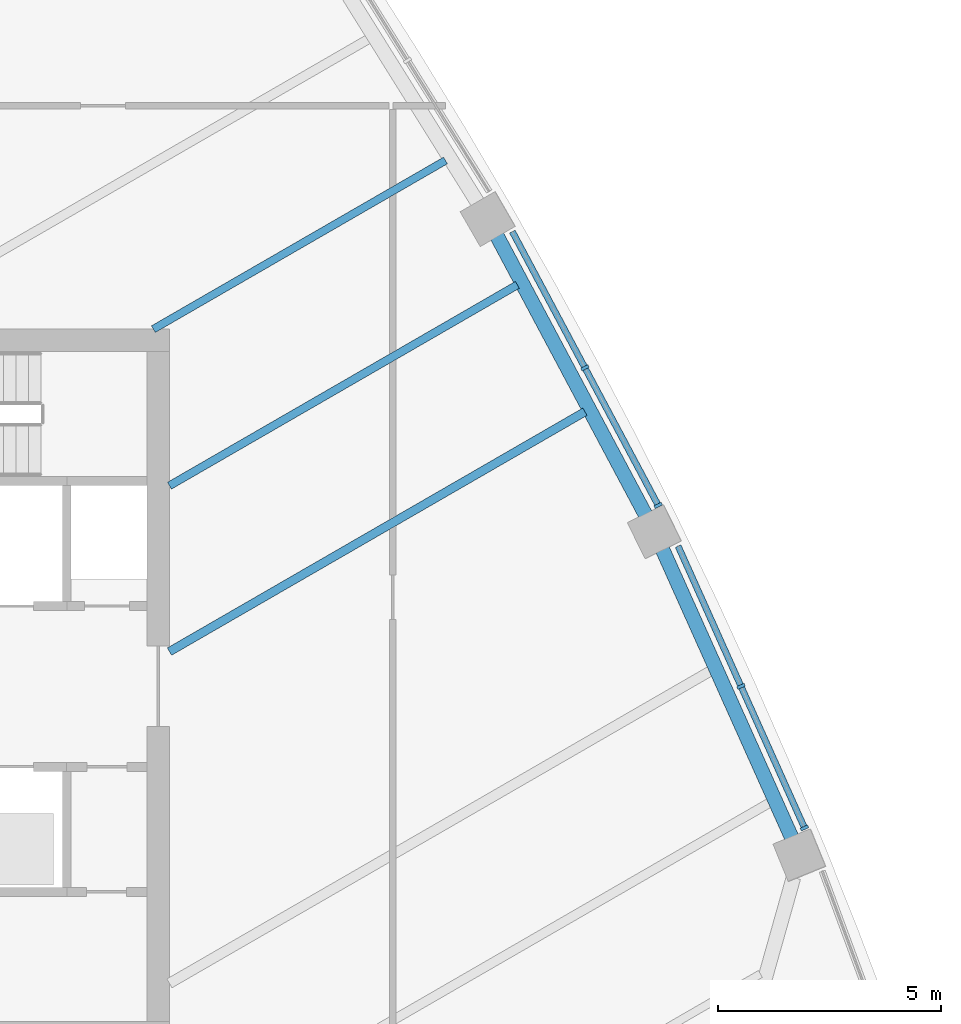
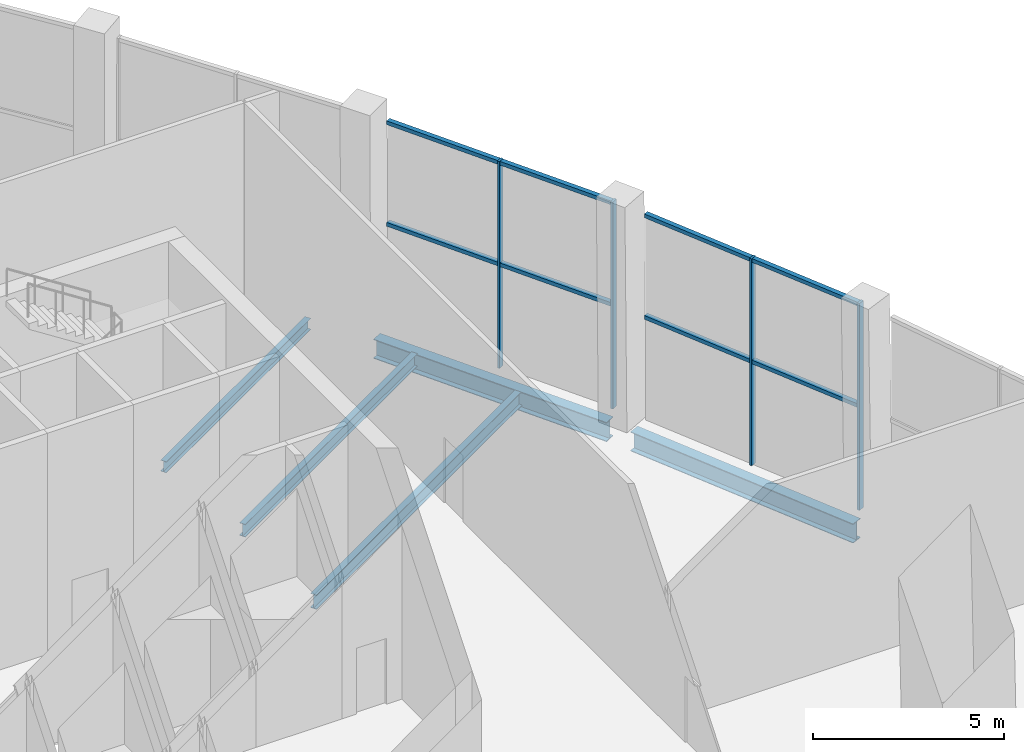
# One storey, part 5 of 15: 12 members, 5 beams, 2 elements without a shape of their own.
"""IFC4 building model written with IfcOpenShell, lengths in metres."""

from ifc_helpers import new_model, si_unit, direction, frame, origin, origin_2d, place, context, subcontext, project, spatial, rectangle, i_section, extrude, material, layer, layer_set, material_profile, profile_set, type_object, element, aggregate, save


model = new_model("IFC4")

# Units and contexts
model_context = context("Model", 3, precision=1e-05, world=origin(), true_north=direction((0.0, 1.0)))
body_context = subcontext(model_context, "Body", "Model", "MODEL_VIEW")
ifc_project = project(units=[si_unit("LENGTHUNIT", "METRE"), si_unit("AREAUNIT", "SQUARE_METRE"), si_unit("VOLUMEUNIT", "CUBIC_METRE"), si_unit("PLANEANGLEUNIT", "RADIAN"), si_unit("MASSUNIT", "GRAM", prefix="KILO")], contexts=[model_context])

# Site, building, storey
site_placement = place(None, origin())
site = spatial("IfcSite", under=ifc_project, at=site_placement, CompositionType="ELEMENT")
building_placement = place(site_placement, origin())
building = spatial("IfcBuilding", under=site, at=building_placement, Name="Sierra Prisma Convention Tower", CompositionType="ELEMENT")
storey_placement = place(building_placement, frame((0.0, 0.0, 219.800048828125)))
storey = spatial("IfcBuildingStorey", under=building, at=storey_placement, Name="L49", CompositionType="ELEMENT", Elevation=219.800048828125)

# Curtain wall, members
ifc_material_1 = material(Name="Aluminium and glass curtain wall", Category="aluminium")
ifc_layer = layer(ifc_material_1, 0.179931640625)
ifc_layer_set = layer_set([ifc_layer], Name="CW-4 Sky lobby double-height curtain wall")
curtain_wall_type = type_object("IfcCurtainWallType", Name="CW-4 Sky lobby double-height curtain wall", PredefinedType="NOTDEFINED", material=ifc_layer_set)
curtain_wall_1_placement = place(storey_placement, origin())
curtain_wall_1 = element("IfcCurtainWall", 1, at=curtain_wall_1_placement, inside=storey, type_object=curtain_wall_type, Name="CW-4 NE2 L49", PredefinedType="NOTDEFINED")
ifc_material_2 = material(Name="Aluminium 6063-T6 bronze anodised", Category="aluminium")
ifc_material_profile_1 = material_profile(ifc_material_2, rectangle(XDim=0.179931640625, YDim=0.070068359375, at=origin_2d()), Name="ALU MULLION 70x180")
ifc_profile_set_1 = profile_set([ifc_material_profile_1], Name="Aluminium 6063-T6 bronze anodised")
member_type_1 = type_object("IfcMemberType", Name="CW mullion bronze", PredefinedType="MULLION", material=ifc_profile_set_1)
member_1_placement = place(storey_placement, frame((25.218994140625, -3.168701171875, 0.0), z_axis=(0.0, 0.0, 1.0), x_axis=(-0.912464540386, -0.409155792502, 0.0)))
member_1 = element("IfcMember", 2, at=member_1_placement, type_object=member_type_1, Name="CW-4 mullion NE2.1", PredefinedType="MULLION", context=body_context, shape_type="SweptSolid", body=[
    extrude(rectangle(XDim=0.179931640625, YDim=0.070068359375, at=origin_2d()), origin(), (0.0, 0.0, 1.0), 6.599853515625),
])
member_2_placement = place(storey_placement, frame((23.79736328125, 0.001708984375, 0.0), z_axis=(0.0, 0.0, 1.0), x_axis=(-0.912464540386, -0.409155792502, 0.0)))
member_2 = element("IfcMember", 3, at=member_2_placement, type_object=member_type_1, Name="CW-4 mullion NE2.2", PredefinedType="MULLION", context=body_context, shape_type="SweptSolid", body=[
    extrude(rectangle(XDim=0.179931640625, YDim=0.070068359375, at=origin_2d()), origin(), (0.0, 0.0, 1.0), 6.599853515625),
])

curtain_wall_2_placement = place(storey_placement, origin())
curtain_wall_2 = element("IfcCurtainWall", 4, at=curtain_wall_2_placement, inside=storey, type_object=curtain_wall_type, Name="CW-4 NE3 L49", PredefinedType="NOTDEFINED")
member_3_placement = place(storey_placement, frame((21.943603515625, 4.053466796875, 0.0), z_axis=(0.0, 0.0, 1.0), x_axis=(-0.882532602679, -0.470251214999, 0.0)))
member_3 = element("IfcMember", 5, at=member_3_placement, type_object=member_type_1, Name="CW-4 mullion NE3.1", PredefinedType="MULLION", context=body_context, shape_type="SweptSolid", body=[
    extrude(rectangle(XDim=0.179931640625, YDim=0.070068359375, at=origin_2d()), origin(), (0.0, 0.0, 1.0), 6.599853515625),
])
member_4_placement = place(storey_placement, frame((20.30224609375, 7.1337890625, 0.0), z_axis=(0.0, 0.0, 1.0), x_axis=(-0.882532602679, -0.470251214999, 0.0)))
member_4 = element("IfcMember", 6, at=member_4_placement, type_object=member_type_1, Name="CW-4 mullion NE3.2", PredefinedType="MULLION", context=body_context, shape_type="SweptSolid", body=[
    extrude(rectangle(XDim=0.179931640625, YDim=0.070068359375, at=origin_2d()), origin(), (0.0, 0.0, 1.0), 6.599853515625),
])

# Member
ifc_material_3 = material(Name="Aluminium 6063-T6 bronze anodised", Category="aluminium")
ifc_material_profile_2 = material_profile(ifc_material_3, rectangle(XDim=0.139892578125, YDim=0.1201171875, at=origin_2d()), Name="ALU TRANSOM 120x140")
ifc_profile_set_2 = profile_set([ifc_material_profile_2], Name="Aluminium 6063-T6 bronze anodised")
member_type_2 = type_object("IfcMemberType", Name="CW transom bronze", PredefinedType="USERDEFINED", material=ifc_profile_set_2)
member_5_placement = place(storey_placement, frame((25.20458984375, -3.13671875, 6.5400390625), z_axis=(-0.409123852999, 0.912478861622, 0.0), x_axis=(-0.912478861622, -0.409123852999, 0.0)))
member_5 = element("IfcMember", 7, at=member_5_placement, type_object=member_type_2, Name="CW-4 transom NE2.1", ObjectType="TRANSOM", PredefinedType="USERDEFINED", context=body_context, shape_type="SweptSolid", body=[
    extrude(rectangle(XDim=0.139892578125, YDim=0.1201171875, at=origin_2d()), origin(), (0.0, 0.0, 1.0), 3.404296875),
])

member_6_placement = place(storey_placement, frame((25.20458984375, -3.13671875, 3.300048828125), z_axis=(-0.409123852999, 0.912478861622, 0.0), x_axis=(-0.912478861622, -0.409123852999, 0.0)))
member_6 = element("IfcMember", 8, at=member_6_placement, type_object=member_type_2, Name="CW-4 transom NE2.1 mid", ObjectType="TRANSOM", PredefinedType="USERDEFINED", context=body_context, shape_type="SweptSolid", body=[
    extrude(rectangle(XDim=0.139892578125, YDim=0.1201171875, at=origin_2d()), origin(), (0.0, 0.0, 1.0), 3.404296875),
])

member_7_placement = place(storey_placement, frame((23.782958984375, 0.03369140625, 6.5400390625), z_axis=(-0.409123852999, 0.912478861622, 0.0), x_axis=(-0.912478861622, -0.409123852999, 0.0)))
member_7 = element("IfcMember", 9, at=member_7_placement, type_object=member_type_2, Name="CW-4 transom NE2.2", ObjectType="TRANSOM", PredefinedType="USERDEFINED", context=body_context, shape_type="SweptSolid", body=[
    extrude(rectangle(XDim=0.139892578125, YDim=0.1201171875, at=origin_2d()), origin(), (0.0, 0.0, 1.0), 3.404296875),
])

member_8_placement = place(storey_placement, frame((23.782958984375, 0.03369140625, 3.300048828125), z_axis=(-0.409123852999, 0.912478861622, 0.0), x_axis=(-0.912478861622, -0.409123852999, 0.0)))
member_8 = element("IfcMember", 10, at=member_8_placement, type_object=member_type_2, Name="CW-4 transom NE2.2 mid", ObjectType="TRANSOM", PredefinedType="USERDEFINED", context=body_context, shape_type="SweptSolid", body=[
    extrude(rectangle(XDim=0.139892578125, YDim=0.1201171875, at=origin_2d()), origin(), (0.0, 0.0, 1.0), 3.404296875),
])

aggregate(curtain_wall_1, [member_1, member_2, member_5, member_6, member_7, member_8])

member_9_placement = place(storey_placement, frame((21.927001953125, 4.084228515625, 6.5400390625), z_axis=(-0.470247357468, 0.882534658126, 0.0), x_axis=(-0.882534658126, -0.470247357468, 0.0)))
member_9 = element("IfcMember", 11, at=member_9_placement, type_object=member_type_2, Name="CW-4 transom NE3.1", ObjectType="TRANSOM", PredefinedType="USERDEFINED", context=body_context, shape_type="SweptSolid", body=[
    extrude(rectangle(XDim=0.139892578125, YDim=0.1201171875, at=origin_2d()), origin(), (0.0, 0.0, 1.0), 3.42041015625),
])

member_10_placement = place(storey_placement, frame((21.927001953125, 4.084228515625, 3.300048828125), z_axis=(-0.470247357468, 0.882534658126, 0.0), x_axis=(-0.882534658126, -0.470247357468, 0.0)))
member_10 = element("IfcMember", 12, at=member_10_placement, type_object=member_type_2, Name="CW-4 transom NE3.1 mid", ObjectType="TRANSOM", PredefinedType="USERDEFINED", context=body_context, shape_type="SweptSolid", body=[
    extrude(rectangle(XDim=0.139892578125, YDim=0.1201171875, at=origin_2d()), origin(), (0.0, 0.0, 1.0), 3.42041015625),
])

member_11_placement = place(storey_placement, frame((20.28564453125, 7.16455078125, 6.5400390625), z_axis=(-0.470247357468, 0.882534658126, 0.0), x_axis=(-0.882534658126, -0.470247357468, 0.0)))
member_11 = element("IfcMember", 13, at=member_11_placement, type_object=member_type_2, Name="CW-4 transom NE3.2", ObjectType="TRANSOM", PredefinedType="USERDEFINED", context=body_context, shape_type="SweptSolid", body=[
    extrude(rectangle(XDim=0.139892578125, YDim=0.1201171875, at=origin_2d()), origin(), (0.0, 0.0, 1.0), 3.42041015625),
])

member_12_placement = place(storey_placement, frame((20.28564453125, 7.16455078125, 3.300048828125), z_axis=(-0.470247357468, 0.882534658126, 0.0), x_axis=(-0.882534658126, -0.470247357468, 0.0)))
member_12 = element("IfcMember", 14, at=member_12_placement, type_object=member_type_2, Name="CW-4 transom NE3.2 mid", ObjectType="TRANSOM", PredefinedType="USERDEFINED", context=body_context, shape_type="SweptSolid", body=[
    extrude(rectangle(XDim=0.139892578125, YDim=0.1201171875, at=origin_2d()), origin(), (0.0, 0.0, 1.0), 3.42041015625),
])

aggregate(curtain_wall_2, [member_3, member_4, member_9, member_10, member_11, member_12])

# Beams
ifc_material_4 = material(Name="Steel ASTM A992 Gr 50", Category="steel")
ifc_material_profile_3 = material_profile(ifc_material_4, i_section(OverallWidth=0.172119140625, OverallDepth=0.35791015625, WebThickness=0.0078125, FlangeThickness=0.01318359375, at=origin_2d()), Name="W360x57")
ifc_profile_set_3 = profile_set([ifc_material_profile_3], Name="Steel ASTM A992 Gr 50")
beam_type_1 = type_object("IfcBeamType", Name="Floor joist W360x57", PredefinedType="JOIST", material=ifc_profile_set_3)
beam_1_placement = place(storey_placement, frame((17.1806640625, 11.7763671875, -0.3291015625), z_axis=(-0.866022479223, -0.500005065455, 0.0), x_axis=(0.500005065455, -0.866022479223, 0.0)))
element("IfcBeam", 15, at=beam_1_placement, inside=storey, type_object=beam_type_1, Name="Floor joist L49 NE08", PredefinedType="JOIST", context=body_context, shape_type="SweptSolid", body=[
    extrude(i_section(OverallWidth=0.172119140625, OverallDepth=0.35791015625, WebThickness=0.0078125, FlangeThickness=0.01318359375, at=origin_2d()), origin(), (0.0, 0.0, 1.0), 7.552734375),
])
ifc_material_5 = material(Name="Steel ASTM A992 Gr 50", Category="steel")
ifc_material_profile_4 = material_profile(ifc_material_5, i_section(OverallWidth=0.177978515625, OverallDepth=0.406982421875, WebThickness=0.0078125, FlangeThickness=0.0126953125, at=origin_2d()), Name="W410x60")
ifc_profile_set_4 = profile_set([ifc_material_profile_4], Name="Steel ASTM A992 Gr 50")
beam_type_2 = type_object("IfcBeamType", Name="Floor joist W410x60", PredefinedType="JOIST", material=ifc_profile_set_4)
beam_2_placement = place(storey_placement, frame((18.788818359375, 8.99072265625, -0.353515625), z_axis=(-0.866027820928, -0.499995813361, 0.0), x_axis=(0.499995813361, -0.866027820928, 0.0)))
element("IfcBeam", 16, at=beam_2_placement, inside=storey, type_object=beam_type_2, Name="Floor joist L49 NE07", PredefinedType="JOIST", context=body_context, shape_type="SweptSolid", body=[
    extrude(i_section(OverallWidth=0.177978515625, OverallDepth=0.406982421875, WebThickness=0.0078125, FlangeThickness=0.0126953125, at=origin_2d()), origin(), (0.0, 0.0, 1.0), 8.99365234375),
])
ifc_material_6 = material(Name="Steel ASTM A992 Gr 50", Category="steel")
ifc_material_profile_5 = material_profile(ifc_material_6, i_section(OverallWidth=0.18994140625, OverallDepth=0.45703125, WebThickness=0.009033203125, FlangeThickness=0.014404296875, at=origin_2d()), Name="W460x74")
ifc_profile_set_5 = profile_set([ifc_material_profile_5], Name="Steel ASTM A992 Gr 50")
beam_type_3 = type_object("IfcBeamType", Name="Floor joist W460x74", PredefinedType="JOIST", material=ifc_profile_set_5)
beam_3_placement = place(storey_placement, frame((20.30224609375, 6.150390625, -0.378662109375), z_axis=(-0.86601752972, -0.500013638032, 0.0), x_axis=(0.500013638032, -0.86601752972, 0.0)))
element("IfcBeam", 17, at=beam_3_placement, inside=storey, type_object=beam_type_3, Name="Floor joist L49 NE06", PredefinedType="JOIST", context=body_context, shape_type="SweptSolid", body=[
    extrude(i_section(OverallWidth=0.18994140625, OverallDepth=0.45703125, WebThickness=0.009033203125, FlangeThickness=0.014404296875, at=origin_2d()), origin(), (0.0, 0.0, 1.0), 10.741455078125),
])
ifc_material_7 = material(Name="Steel ASTM A992 Gr 50", Category="steel")
ifc_material_profile_6 = material_profile(ifc_material_7, i_section(OverallWidth=0.324951171875, OverallDepth=0.615966796875, WebThickness=0.013916015625, FlangeThickness=0.021484375, at=origin_2d()), Name="W610x174")
ifc_profile_set_6 = profile_set([ifc_material_profile_6], Name="Steel ASTM A992 Gr 50")
beam_type_4 = type_object("IfcBeamType", Name="Spandrel beam W610x174", PredefinedType="BEAM", material=ifc_profile_set_6)
beam_4_placement = place(storey_placement, frame((24.955810546875, -3.4365234375, -0.4580078125), z_axis=(-0.409175036838, 0.912455910841, 0.0), x_axis=(-0.912455910841, -0.409175036838, 0.0)))
element("IfcBeam", 18, at=beam_4_placement, inside=storey, type_object=beam_type_4, Name="Spandrel L49-08", PredefinedType="BEAM", context=body_context, shape_type="SweptSolid", body=[
    extrude(i_section(OverallWidth=0.324951171875, OverallDepth=0.615966796875, WebThickness=0.013916015625, FlangeThickness=0.021484375, at=origin_2d()), origin(), (0.0, 0.0, 1.0), 7.178466796875),
])
beam_5_placement = place(storey_placement, frame((21.68408203125, 3.796142578125, -0.4580078125), z_axis=(-0.470243989618, 0.882536452634, 0.0), x_axis=(-0.882536452634, -0.470243989618, 0.0)))
element("IfcBeam", 19, at=beam_5_placement, inside=storey, type_object=beam_type_4, Name="Spandrel L49-09", PredefinedType="BEAM", context=body_context, shape_type="SweptSolid", body=[
    extrude(i_section(OverallWidth=0.324951171875, OverallDepth=0.615966796875, WebThickness=0.013916015625, FlangeThickness=0.021484375, at=origin_2d()), origin(), (0.0, 0.0, 1.0), 7.1787109375),
])

save(model, "model.ifc")
